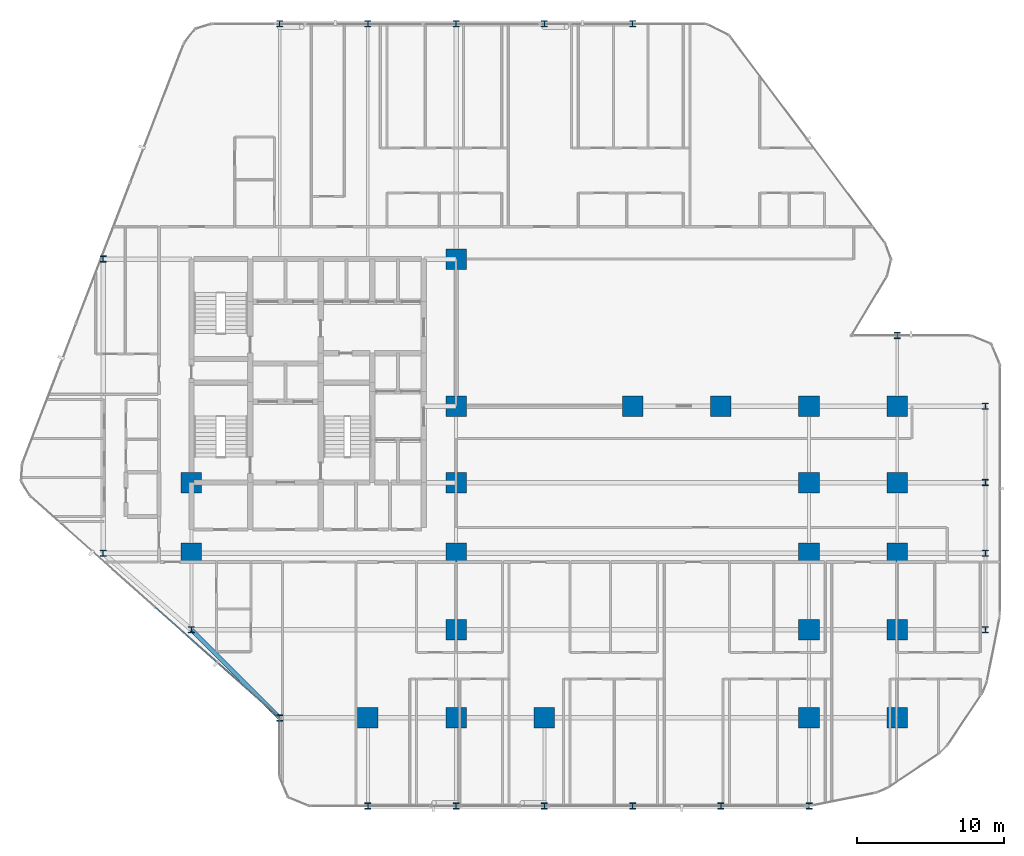
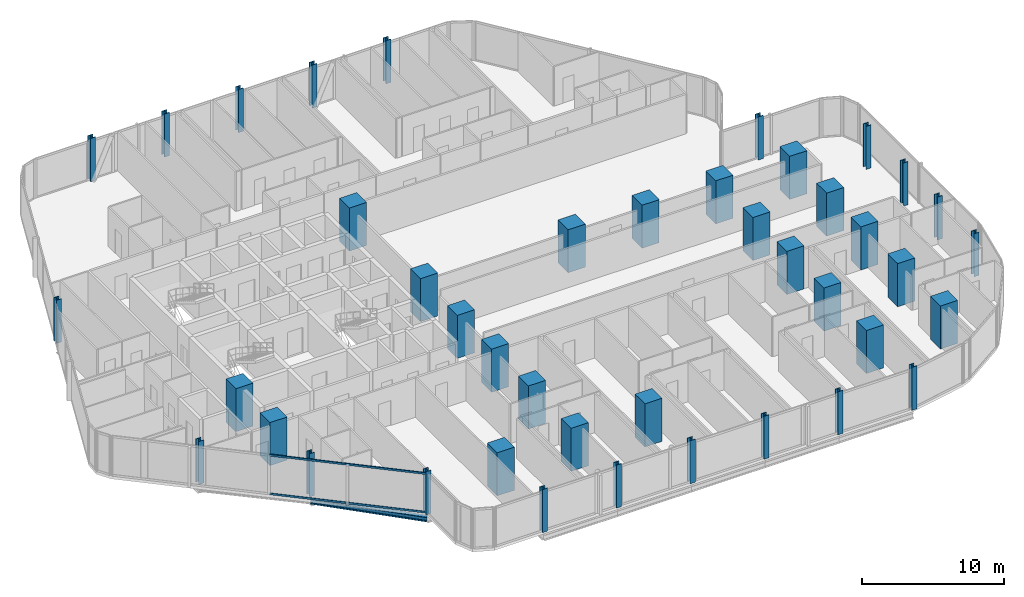
# One storey, part 1 of 34: 42 columns, 2 members, 1 beam, 1 element without a shape of its own.
"""IFC4 building model written with IfcOpenShell, lengths in metres."""

from ifc_helpers import new_model, si_unit, direction, frame, origin, origin_2d, place, context, subcontext, project, spatial, rectangle, hollow_rectangle, i_section, extrude, material, layer, layer_set, material_profile, profile_set, type_object, element, aggregate, save


model = new_model("IFC4")

# Units and contexts
model_context = context("Model", 3, precision=1e-05, world=origin(), true_north=direction((0.0, 1.0)))
body_context = subcontext(model_context, "Body", "Model", "MODEL_VIEW")
ifc_project = project(units=[si_unit("LENGTHUNIT", "METRE"), si_unit("AREAUNIT", "SQUARE_METRE"), si_unit("VOLUMEUNIT", "CUBIC_METRE"), si_unit("PLANEANGLEUNIT", "RADIAN"), si_unit("MASSUNIT", "GRAM", prefix="KILO")], contexts=[model_context])

# Site, building, storey
site_placement = place(None, origin())
site = spatial("IfcSite", under=ifc_project, at=site_placement, CompositionType="ELEMENT")
building_placement = place(site_placement, origin())
building = spatial("IfcBuilding", under=site, at=building_placement, Name="Keshet Zoharim Tower", CompositionType="ELEMENT")
storey_placement = place(building_placement, frame((0.0, 0.0, 38.800048828125)))
storey = spatial("IfcBuildingStorey", under=building, at=storey_placement, Name="L08", CompositionType="ELEMENT", Elevation=38.800048828125)

# Columns
ifc_material_1 = material(Name="Steel S355", Category="steel")
ifc_material_profile_1 = material_profile(ifc_material_1, i_section(OverallWidth=0.408935546875, OverallDepth=0.425048828125, WebThickness=0.031982421875, FlangeThickness=0.052490234375, FilletRadius=0.014892578125, at=origin_2d()), Name="HD400x421")
ifc_profile_set_1 = profile_set([ifc_material_profile_1], Name="Steel S355")
column_type_1 = type_object("IfcColumnType", Name="COL-HD421", PredefinedType="COLUMN", material=ifc_profile_set_1)
for number, where, z_axis, x_axis, name in (
    (1, (9.0, 17.89990234375, 0.0), (0.0, 0.0, 1.0), (1.0, 0.0, 0.0), "L08 Column 2D"),
    (2, (9.0, 37.89990234375, 0.0), (0.0, 0.0, 1.0), (1.0, 0.0, 0.0), "L08 Column 2H"),
    (3, (15.0, 12.699951171875, 0.0), (0.0, 0.0, 1.0), (1.0, 0.0, 0.0), "L08 Column 3C"),
    (4, (21.0, 6.699951171875, 0.0), (0.0, 0.0, 1.0), (1.0, 0.0, 0.0), "L08 Column 4B"),
    (5, (21.0, 53.89990234375, 0.0), (0.0, 0.0, 1.0), (1.0, 0.0, 0.0), "L08 Column 4L"),
    (6, (27.0, 0.699951171875, 0.0), (0.0, 0.0, 1.0), (1.0, 0.0, 0.0), "L08 Column 5A"),
    (7, (27.0, 53.89990234375, 0.0), (0.0, 0.0, 1.0), (1.0, 0.0, 0.0), "L08 Column 5L"),
    (8, (33.0, 0.699951171875, 0.0), (0.0, 0.0, 1.0), (1.0, 0.0, 0.0), "L08 Column 6A"),
    (9, (33.0, 53.89990234375, 0.0), (0.0, 0.0, 1.0), (1.0, 0.0, 0.0), "L08 Column 6L"),
    (10, (39.0, 0.699951171875, 0.0), (0.0, 0.0, 1.0), (1.0, 0.0, 0.0), "L08 Column 7A"),
    (11, (39.0, 53.89990234375, 0.0), (0.0, 0.0, 1.0), (1.0, 0.0, 0.0), "L08 Column 7L"),
    (12, (45.0, 0.699951171875, 0.0), (0.0, 0.0, 1.0), (1.0, 0.0, 0.0), "L08 Column 8A"),
    (13, (45.0, 53.89990234375, 0.0), (0.0, 0.0, 1.0), (1.0, 0.0, 0.0), "L08 Column 8L"),
    (14, (51.0, 0.699951171875, 0.0), (0.0, 0.0, 1.0), (1.0, 0.0, 0.0), "L08 Column 9A"),
    (15, (57.0, 0.699951171875, 0.0), (0.0, 0.0, 1.0), (1.0, 0.0, 0.0), "L08 Column 10A"),
    (16, (63.0, 32.699951171875, 0.0), (0.0, 0.0, 1.0), (1.0, 0.0, 0.0), "L08 Column 11G"),
    (17, (69.0, 12.699951171875, 0.0), (0.0, 0.0, 1.0), (1.0, 0.0, 0.0), "L08 Column 12C"),
    (18, (69.0, 17.89990234375, 0.0), (0.0, 0.0, 1.0), (1.0, 0.0, 0.0), "L08 Column 12D"),
    (19, (69.0, 22.699951171875, 0.0), (0.0, 0.0, 1.0), (1.0, 0.0, 0.0), "L08 Column 12E"),
    (20, (69.0, 27.89990234375, 0.0), (0.0, 0.0, 1.0), (1.0, 0.0, 0.0), "L08 Column 12F"),
):
    element("IfcColumn", number, at=place(storey_placement, frame(where, z_axis=z_axis, x_axis=x_axis)), inside=storey, type_object=column_type_1, Name=name, PredefinedType="COLUMN", context=body_context, shape_type="SweptSolid", body=[
        extrude(i_section(OverallWidth=0.408935546875, OverallDepth=0.425048828125, WebThickness=0.031982421875, FlangeThickness=0.052490234375, FilletRadius=0.014892578125, at=origin_2d()), origin(), (0.0, 0.0, 1.0), 3.699951171875),
    ])
ifc_material_2 = material(Name="Concrete C60/75", Category="concrete")
ifc_material_profile_2 = material_profile(ifc_material_2, rectangle(XDim=1.39990234375, YDim=1.39990234375, at=origin_2d()), Name="RC1400x1400")
ifc_profile_set_2 = profile_set([ifc_material_profile_2], Name="Concrete C60/75")
column_type_2 = type_object("IfcColumnType", Name="COL-RC1400", PredefinedType="COLUMN", material=ifc_profile_set_2)
for number, where, z_axis, x_axis, name in (
    (21, (15.0, 17.89990234375, 0.0), (0.0, 0.0, 1.0), (1.0, 0.0, 0.0), "L08 Column 3D"),
    (22, (15.0, 22.699951171875, 0.0), (0.0, 0.0, 1.0), (1.0, 0.0, 0.0), "L08 Column 3E"),
    (23, (27.0, 6.699951171875, 0.0), (0.0, 0.0, 1.0), (1.0, 0.0, 0.0), "L08 Column 5B"),
    (24, (33.0, 6.699951171875, 0.0), (0.0, 0.0, 1.0), (1.0, 0.0, 0.0), "L08 Column 6B"),
    (25, (33.0, 12.699951171875, 0.0), (0.0, 0.0, 1.0), (1.0, 0.0, 0.0), "L08 Column 6C"),
    (26, (33.0, 17.89990234375, 0.0), (0.0, 0.0, 1.0), (1.0, 0.0, 0.0), "L08 Column 6D"),
    (27, (33.0, 22.699951171875, 0.0), (0.0, 0.0, 1.0), (1.0, 0.0, 0.0), "L08 Column 6E"),
    (28, (33.0, 27.89990234375, 0.0), (0.0, 0.0, 1.0), (1.0, 0.0, 0.0), "L08 Column 6F"),
    (29, (33.0, 37.89990234375, 0.0), (0.0, 0.0, 1.0), (1.0, 0.0, 0.0), "L08 Column 6H"),
    (30, (39.0, 6.699951171875, 0.0), (0.0, 0.0, 1.0), (1.0, 0.0, 0.0), "L08 Column 7B"),
    (31, (45.0, 27.89990234375, 0.0), (0.0, 0.0, 1.0), (1.0, 0.0, 0.0), "L08 Column 8F"),
    (32, (51.0, 27.89990234375, 0.0), (0.0, 0.0, 1.0), (1.0, 0.0, 0.0), "L08 Column 9F"),
    (33, (57.0, 6.699951171875, 0.0), (0.0, 0.0, 1.0), (1.0, 0.0, 0.0), "L08 Column 10B"),
    (34, (57.0, 12.699951171875, 0.0), (0.0, 0.0, 1.0), (1.0, 0.0, 0.0), "L08 Column 10C"),
    (35, (57.0, 17.89990234375, 0.0), (0.0, 0.0, 1.0), (1.0, 0.0, 0.0), "L08 Column 10D"),
    (36, (57.0, 22.699951171875, 0.0), (0.0, 0.0, 1.0), (1.0, 0.0, 0.0), "L08 Column 10E"),
    (37, (57.0, 27.89990234375, 0.0), (0.0, 0.0, 1.0), (1.0, 0.0, 0.0), "L08 Column 10F"),
    (38, (63.0, 6.699951171875, 0.0), (0.0, 0.0, 1.0), (1.0, 0.0, 0.0), "L08 Column 11B"),
    (39, (63.0, 12.699951171875, 0.0), (0.0, 0.0, 1.0), (1.0, 0.0, 0.0), "L08 Column 11C"),
    (40, (63.0, 17.89990234375, 0.0), (0.0, 0.0, 1.0), (1.0, 0.0, 0.0), "L08 Column 11D"),
    (41, (63.0, 22.699951171875, 0.0), (0.0, 0.0, 1.0), (1.0, 0.0, 0.0), "L08 Column 11E"),
    (42, (63.0, 27.89990234375, 0.0), (0.0, 0.0, 1.0), (1.0, 0.0, 0.0), "L08 Column 11F"),
):
    element("IfcColumn", number, at=place(storey_placement, frame(where, z_axis=z_axis, x_axis=x_axis)), inside=storey, type_object=column_type_2, Name=name, PredefinedType="COLUMN", context=body_context, shape_type="SweptSolid", body=[
        extrude(rectangle(XDim=1.39990234375, YDim=1.39990234375, at=origin_2d()), origin(), (0.0, 0.0, 1.0), 3.699951171875),
    ])

# Beam
ifc_material_profile_3 = material_profile(ifc_material_1, i_section(OverallWidth=0.300048828125, OverallDepth=0.39990234375, WebThickness=0.013427734375, FlangeThickness=0.02392578125, FilletRadius=0.027099609375, at=origin_2d()), Name="HEB400")
ifc_profile_set_3 = profile_set([ifc_material_profile_3], Name="Steel S355")
beam_type = type_object("IfcBeamType", Name="BM-SPN-HB400", PredefinedType="SPANDREL", material=ifc_profile_set_3)
beam_placement = place(storey_placement, frame((21.0, 6.699951171875, -0.51513671875), z_axis=(-0.707106781187, 0.707106781187, 0.0), x_axis=(-0.707106781187, -0.707106781187, 0.0)))
element("IfcBeam", 43, at=beam_placement, inside=storey, type_object=beam_type, Name="L08 Perimeter Spandrel Beam 01", PredefinedType="SPANDREL", context=body_context, shape_type="SweptSolid", body=[
    extrude(i_section(OverallWidth=0.300048828125, OverallDepth=0.39990234375, WebThickness=0.013427734375, FlangeThickness=0.02392578125, FilletRadius=0.027099609375, at=origin_2d()), origin(), (0.0, 0.0, 1.0), 8.4853515625),
])

# Curtain wall, members
ifc_material_3 = material(Name="Aluminium 6063-T6", Category="aluminium")
ifc_layer = layer(ifc_material_3, 0.179931640625)
ifc_layer_set = layer_set([ifc_layer], Name="Aluminium 6063-T6")
curtain_wall_type = type_object("IfcCurtainWallType", Name="CW-SYS-01", PredefinedType="NOTDEFINED", material=ifc_layer_set)
curtain_wall_placement = place(storey_placement, origin())
curtain_wall = element("IfcCurtainWall", 44, at=curtain_wall_placement, inside=storey, type_object=curtain_wall_type, Name="L08 Unitised Curtain Wall 01", PredefinedType="NOTDEFINED")
ifc_material_profile_4 = material_profile(ifc_material_3, hollow_rectangle(XDim=0.0849609375, YDim=0.159912109375, WallThickness=0.00439453125, at=origin_2d()), Name="TRN-85x160")
ifc_profile_set_4 = profile_set([ifc_material_profile_4], Name="Aluminium 6063-T6")
member_type = type_object("IfcMemberType", Name="CWT-T16", PredefinedType="USERDEFINED", material=ifc_profile_set_4)
member_1_placement = place(storey_placement, frame((20.94775390625, 6.74658203125, 0.034912109375), z_axis=(-0.747411714548, 0.664361143472, 0.0), x_axis=(-0.664361143472, -0.747411714548, 0.0)))
member_1 = element("IfcMember", 45, at=member_1_placement, type_object=member_type, Name="CW-01 transom 1.1", ObjectType="TRANSOM", PredefinedType="USERDEFINED", context=body_context, shape_type="SweptSolid", body=[
    extrude(hollow_rectangle(XDim=0.0849609375, YDim=0.159912109375, WallThickness=0.00439453125, at=origin_2d()), origin(), (0.0, 0.0, 1.0), 11.244140625),
])
member_2_placement = place(storey_placement, frame((20.94775390625, 6.74658203125, 3.349853515625), z_axis=(-0.747411714548, 0.664361143472, 0.0), x_axis=(-0.664361143472, -0.747411714548, 0.0)))
member_2 = element("IfcMember", 46, at=member_2_placement, type_object=member_type, Name="CW-01 transom 1.2", ObjectType="TRANSOM", PredefinedType="USERDEFINED", context=body_context, shape_type="SweptSolid", body=[
    extrude(hollow_rectangle(XDim=0.0849609375, YDim=0.159912109375, WallThickness=0.00439453125, at=origin_2d()), origin(), (0.0, 0.0, 1.0), 11.244140625),
])
aggregate(curtain_wall, [member_1, member_2])

save(model, "model.ifc")
